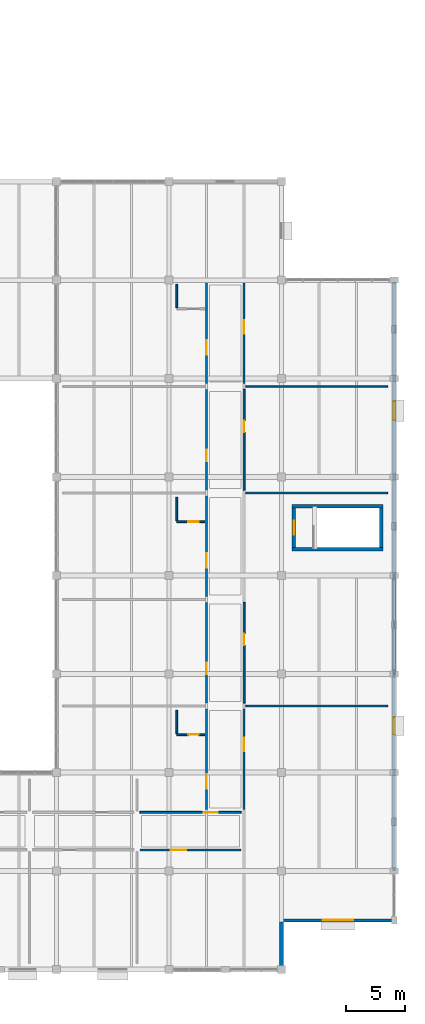
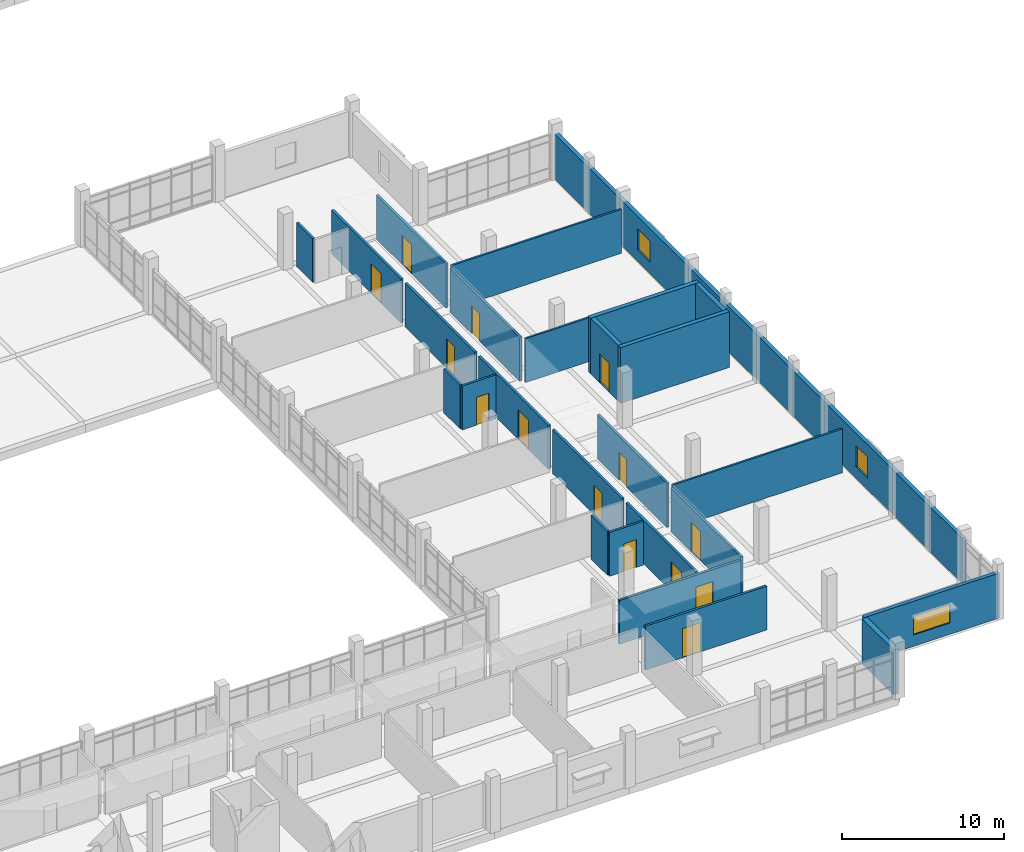
# One storey, part 42 of 57: 27 walls, 14 doors, 3 windows, 17 openings.
"""IFC4 building model written with IfcOpenShell, lengths in metres."""

from ifc_helpers import new_model, si_unit, direction, frame, frame_2d, origin, place, context, subcontext, project, spatial, rectangle, extrude, material, layer, layer_set, type_object, element, fill, save


model = new_model("IFC4")

# Units and contexts
model_context = context("Model", 3, precision=1e-05, world=origin(), true_north=direction((0.0, 1.0)))
body_context = subcontext(model_context, "Body", "Model", "MODEL_VIEW")
ifc_project = project(units=[si_unit("LENGTHUNIT", "METRE"), si_unit("AREAUNIT", "SQUARE_METRE"), si_unit("VOLUMEUNIT", "CUBIC_METRE"), si_unit("PLANEANGLEUNIT", "RADIAN"), si_unit("MASSUNIT", "GRAM", prefix="KILO")], contexts=[model_context])

# Site, building, storey
site_placement = place(None, origin())
site = spatial("IfcSite", under=ifc_project, at=site_placement, CompositionType="ELEMENT")
building_placement = place(site_placement, origin())
building = spatial("IfcBuilding", under=site, at=building_placement, Name="Oolite Switchyard Hospital", CompositionType="ELEMENT")
storey_placement = place(building_placement, frame((0.0, 0.0, 17.800048828125)))
storey = spatial("IfcBuildingStorey", under=building, at=storey_placement, Name="L04", CompositionType="ELEMENT", Elevation=17.800048828125)

# Wall, opening, window
ifc_material_1 = material(Name="Precast oolitic limestone architectural concrete C40/50", Category="masonry")
ifc_layer_1 = layer(ifc_material_1, 0.260009765625)
ifc_layer_set_1 = layer_set([ifc_layer_1], Name="WAL-EXT-260")
wall_type_1 = type_object("IfcWallType", Name="WAL-EXT-260", PredefinedType="SOLIDWALL", material=ifc_layer_set_1)
wall_1_placement = place(storey_placement, frame((211.199951171875, 12.60009765625, 0.0), z_axis=(0.0, 0.0, 1.0), x_axis=(-1.0, 0.0, 0.0)))
wall_1 = element("IfcWall", 1, at=wall_1_placement, inside=storey, type_object=wall_type_1, Name="L04 Exterior Spandrel Wall 255", PredefinedType="SOLIDWALL", context=body_context, shape_type="SweptSolid", body=[
    extrude(rectangle(XDim=9.599853515625, YDim=0.260009765625, at=frame_2d((4.7998046875, 0.0))), origin(), (0.0, 0.0, 1.0), 3.389892578125),
])
opening_1_placement = place(wall_1_placement, frame((3.5, 0.0, 0.85009765625)))
opening_1 = element("IfcOpeningElement", 2, at=opening_1_placement, cuts=wall_1, Name="Opening WN-0150", PredefinedType="OPENING", context=body_context, shape_type="SweptSolid", body=[
    extrude(rectangle(XDim=2.60009765625, YDim=1.39990234375, at=frame_2d((1.300048828125, 0.699951171875))), frame((0.0, 0.14013671875, 0.0), z_axis=(0.0, -1.0, 0.0), x_axis=(1.0, 0.0, 0.0)), (0.0, 0.0, 1.0), 0.280029296875),
])
ifc_material_2 = material(Name="Thermally broken aluminum frame with laminated impact glazing", Category="aluminium")
window_type_1 = type_object("IfcWindowType", Name="WIN-IMP-260X140", PartitioningType="SINGLE_PANEL", PredefinedType="WINDOW", material=ifc_material_2)
window_1_placement = place(opening_1_placement, origin())
window_1 = element("IfcWindow", 3, at=window_1_placement, inside=storey, type_object=window_type_1, Name="L04 Hurricane Impact Window WN-0150", OverallHeight=1.39990234375, OverallWidth=2.60009765625, PartitioningType="SINGLE_PANEL", PredefinedType="WINDOW", context=body_context, shape_type="SweptSolid", body=[
    extrude(rectangle(XDim=2.60009765625, YDim=1.39990234375, at=frame_2d((1.300048828125, 0.699951171875))), frame((0.0, 0.030029296875, 0.0), z_axis=(0.0, -1.0, 0.0), x_axis=(1.0, 0.0, 0.0)), (0.0, 0.0, 1.0), 0.06005859375),
])
fill(opening_1, window_1)

wall_2_placement = place(storey_placement, frame((211.199951171875, 33.60009765625, 0.0), z_axis=(0.0, 0.0, 1.0), x_axis=(0.0, -1.0, 0.0)))
wall_2 = element("IfcWall", 4, at=wall_2_placement, inside=storey, type_object=wall_type_1, Name="L04 Exterior Spandrel Wall 304", PredefinedType="SOLIDWALL", context=body_context, shape_type="SweptSolid", body=[
    extrude(rectangle(XDim=16.800048828125, YDim=0.260009765625, at=frame_2d((8.39990234375, 0.0))), origin(), (0.0, 0.0, 1.0), 3.389892578125),
])
opening_2_placement = place(wall_2_placement, frame((3.68408203125, 0.0, 0.85009765625)))
opening_2 = element("IfcOpeningElement", 5, at=opening_2_placement, cuts=wall_2, Name="Opening WN-0184", PredefinedType="OPENING", context=body_context, shape_type="SweptSolid", body=[
    extrude(rectangle(XDim=1.449951171875, YDim=1.60009765625, at=frame_2d((0.72509765625, 0.800048828125))), frame((0.0, 0.14013671875, 0.0), z_axis=(0.0, -1.0, 0.0), x_axis=(1.0, 0.0, 0.0)), (0.0, 0.0, 1.0), 0.280029296875),
])
window_type_2 = type_object("IfcWindowType", Name="WIN-IMP-145X160", PartitioningType="SINGLE_PANEL", PredefinedType="WINDOW", material=ifc_material_2)
window_2_placement = place(opening_2_placement, origin())
window_2 = element("IfcWindow", 6, at=window_2_placement, inside=storey, type_object=window_type_2, Name="L04 Hurricane Impact Window WN-0184", OverallHeight=1.60009765625, OverallWidth=1.449951171875, PartitioningType="SINGLE_PANEL", PredefinedType="WINDOW", context=body_context, shape_type="SweptSolid", body=[
    extrude(rectangle(XDim=1.449951171875, YDim=1.60009765625, at=frame_2d((0.72509765625, 0.800048828125))), frame((0.0, 0.030029296875, 0.0), z_axis=(0.0, -1.0, 0.0), x_axis=(1.0, 0.0, 0.0)), (0.0, 0.0, 1.0), 0.06005859375),
])
fill(opening_2, window_2)

ifc_layer_2 = layer(ifc_material_1, 0.280029296875)
ifc_layer_set_2 = layer_set([ifc_layer_2], Name="WAL-EXT-280")
wall_type_2 = type_object("IfcWallType", Name="WAL-EXT-280", PredefinedType="SOLIDWALL", material=ifc_layer_set_2)
wall_3_placement = place(storey_placement, frame((211.199951171875, 67.0400390625, 0.0), z_axis=(0.0, 0.0, 1.0), x_axis=(0.0, -1.0, 0.0)))
wall_3 = element("IfcWall", 7, at=wall_3_placement, inside=storey, type_object=wall_type_2, Name="L04 Exterior Spandrel Wall 305", PredefinedType="SOLIDWALL", context=body_context, shape_type="SweptSolid", body=[
    extrude(rectangle(XDim=33.43994140625, YDim=0.280029296875, at=frame_2d((16.719970703125, 0.0))), origin(), (0.0, 0.0, 1.0), 3.389892578125),
])
opening_3_placement = place(wall_3_placement, frame((10.18896484375, 0.0, 0.85009765625)))
opening_3 = element("IfcOpeningElement", 8, at=opening_3_placement, cuts=wall_3, Name="Opening WN-0185", PredefinedType="OPENING", context=body_context, shape_type="SweptSolid", body=[
    extrude(rectangle(XDim=1.60009765625, YDim=1.60009765625, at=frame_2d((0.800048828125, 0.800048828125))), frame((0.0, 0.14990234375, 0.0), z_axis=(0.0, -1.0, 0.0), x_axis=(1.0, 0.0, 0.0)), (0.0, 0.0, 1.0), 0.300048828125),
])
window_type_3 = type_object("IfcWindowType", Name="WIN-IMP-160X160", PartitioningType="SINGLE_PANEL", PredefinedType="WINDOW", material=ifc_material_2)
window_3_placement = place(opening_3_placement, origin())
window_3 = element("IfcWindow", 9, at=window_3_placement, inside=storey, type_object=window_type_3, Name="L04 Hurricane Impact Window WN-0185", OverallHeight=1.60009765625, OverallWidth=1.60009765625, PartitioningType="SINGLE_PANEL", PredefinedType="WINDOW", context=body_context, shape_type="SweptSolid", body=[
    extrude(rectangle(XDim=1.60009765625, YDim=1.60009765625, at=frame_2d((0.800048828125, 0.800048828125))), frame((0.0, 0.030029296875, 0.0), z_axis=(0.0, -1.0, 0.0), x_axis=(1.0, 0.0, 0.0)), (0.0, 0.0, 1.0), 0.06005859375),
])
fill(opening_3, window_3)

# Walls
ifc_layer_3 = layer(ifc_material_1, 0.360107421875)
ifc_layer_set_3 = layer_set([ifc_layer_3], Name="WAL-EXT-360")
wall_type_3 = type_object("IfcWallType", Name="WAL-EXT-360", PredefinedType="SOLIDWALL", material=ifc_layer_set_3)
wall_4_placement = place(storey_placement, frame((201.60009765625, 12.43994140625, 0.0), z_axis=(0.0, 0.0, 1.0), x_axis=(0.0, -1.0, 0.0)))
element("IfcWall", 10, at=wall_4_placement, inside=storey, type_object=wall_type_3, Name="L04 Exterior Spandrel Wall 302", PredefinedType="SOLIDWALL", context=body_context, shape_type="SweptSolid", body=[
    extrude(rectangle(XDim=3.8798828125, YDim=0.360107421875, at=frame_2d((1.93994140625, 0.0))), origin(), (0.0, 0.0, 1.0), 3.389892578125),
])
ifc_material_3 = material(Name="Moisture-resistant gypsum board on steel studs", Category="steel")
ifc_layer_4 = layer(ifc_material_3, 0.135009765625)
ifc_layer_set_4 = layer_set([ifc_layer_4], Name="WAL-PART-135")
wall_type_4 = type_object("IfcWallType", Name="WAL-PART-135", PredefinedType="PARTITIONING", material=ifc_layer_set_4)
for number, where, z_axis, x_axis, name in (
    (11, (198.550048828125, 30.8798828125, 0.0), (0.0, 0.0, 1.0), (1.0, 0.0, 0.0), "L04 Interior Partition 814"),
    (12, (198.550048828125, 49.0400390625, 0.0), (0.0, 0.0, 1.0), (1.0, 0.0, 0.0), "L04 Interior Partition 822"),
    (13, (198.550048828125, 58.1201171875, 0.0), (0.0, 0.0, 1.0), (1.0, 0.0, 0.0), "L04 Interior Partition 828"),
):
    element("IfcWall", number, at=place(storey_placement, frame(where, z_axis=z_axis, x_axis=x_axis)), inside=storey, type_object=wall_type_4, Name=name, PredefinedType="PARTITIONING", context=body_context, shape_type="SweptSolid", body=[
        extrude(rectangle(XDim=12.099853515625, YDim=0.135009765625, at=frame_2d((6.0498046875, 0.0))), origin(), (0.0, 0.0, 1.0), 3.300048828125),
    ])

# Wall, opening, door
ifc_layer_5 = layer(ifc_material_3, 0.14990234375)
ifc_layer_set_5 = layer_set([ifc_layer_5], Name="WAL-PART-150")
wall_type_5 = type_object("IfcWallType", Name="WAL-PART-150", PredefinedType="PARTITIONING", material=ifc_layer_set_5)
wall_5_placement = place(storey_placement, frame((192.64990234375, 28.429931640625, 0.0), z_axis=(0.0, 0.0, 1.0), x_axis=(1.0, 0.0, 0.0)))
wall_5 = element("IfcWall", 14, at=wall_5_placement, inside=storey, type_object=wall_type_5, Name="L04 Interior Partition 808", PredefinedType="PARTITIONING", context=body_context, shape_type="SweptSolid", body=[
    extrude(rectangle(XDim=2.400146484375, YDim=0.14990234375, at=frame_2d((1.2001953125, 0.0))), origin(), (0.0, 0.0, 1.0), 3.300048828125),
])
opening_4_placement = place(wall_5_placement, frame((1.0, 0.0, 0.0)))
opening_4 = element("IfcOpeningElement", 15, at=opening_4_placement, cuts=wall_5, Name="Opening D-0449", PredefinedType="OPENING", context=body_context, shape_type="SweptSolid", body=[
    extrude(rectangle(XDim=0.89990234375, YDim=2.10009765625, at=frame_2d((0.449951171875, 1.050048828125))), frame((0.0, 0.0849609375, 0.0), z_axis=(0.0, -1.0, 0.0), x_axis=(1.0, 0.0, 0.0)), (0.0, 0.0, 1.0), 0.169921875),
])
ifc_material_4 = material(Name="Solid-core antimicrobial hardwood leaf in steel frame", Category="steel")
door_type_1 = type_object("IfcDoorType", Name="DR-BATH-090X210", OperationType="NOTDEFINED", PredefinedType="DOOR", material=ifc_material_4)
door_1_placement = place(opening_4_placement, origin())
door_1 = element("IfcDoor", 16, at=door_1_placement, inside=storey, type_object=door_type_1, Name="L04 Interior Door D-0449", OperationType="SINGLE_SWING_RIGHT", OverallHeight=2.10009765625, OverallWidth=0.89990234375, PredefinedType="DOOR", context=body_context, shape_type="SweptSolid", body=[
    extrude(rectangle(XDim=0.89990234375, YDim=2.10009765625, at=frame_2d((0.449951171875, 1.050048828125))), frame((0.0, 0.02490234375, 0.0), z_axis=(0.0, -1.0, 0.0), x_axis=(1.0, 0.0, 0.0)), (0.0, 0.0, 1.0), 0.050048828125),
])
fill(opening_4, door_1)

# Wall
wall_6_placement = place(storey_placement, frame((192.64990234375, 28.530029296875, 0.0), z_axis=(0.0, 0.0, 1.0), x_axis=(0.0, 1.0, 0.0)))
element("IfcWall", 17, at=wall_6_placement, inside=storey, type_object=wall_type_5, Name="L04 Interior Partition 809", PredefinedType="PARTITIONING", context=body_context, shape_type="SweptSolid", body=[
    extrude(rectangle(XDim=2.0, YDim=0.14990234375, at=frame_2d((1.0, 0.0))), origin(), (0.0, 0.0, 1.0), 3.300048828125),
])

# Wall, opening, door
wall_7_placement = place(storey_placement, frame((192.64990234375, 46.590087890625, 0.0), z_axis=(0.0, 0.0, 1.0), x_axis=(1.0, 0.0, 0.0)))
wall_7 = element("IfcWall", 18, at=wall_7_placement, inside=storey, type_object=wall_type_5, Name="L04 Interior Partition 816", PredefinedType="PARTITIONING", context=body_context, shape_type="SweptSolid", body=[
    extrude(rectangle(XDim=2.400146484375, YDim=0.14990234375, at=frame_2d((1.2001953125, 0.0))), origin(), (0.0, 0.0, 1.0), 3.300048828125),
])
opening_5_placement = place(wall_7_placement, frame((1.0, 0.0, 0.0)))
opening_5 = element("IfcOpeningElement", 19, at=opening_5_placement, cuts=wall_7, Name="Opening D-0454", PredefinedType="OPENING", context=body_context, shape_type="SweptSolid", body=[
    extrude(rectangle(XDim=0.89990234375, YDim=2.10009765625, at=frame_2d((0.449951171875, 1.050048828125))), frame((0.0, 0.0849609375, 0.0), z_axis=(0.0, -1.0, 0.0), x_axis=(1.0, 0.0, 0.0)), (0.0, 0.0, 1.0), 0.169921875),
])
door_2_placement = place(opening_5_placement, origin())
door_2 = element("IfcDoor", 20, at=door_2_placement, inside=storey, type_object=door_type_1, Name="L04 Interior Door D-0454", OperationType="SINGLE_SWING_RIGHT", OverallHeight=2.10009765625, OverallWidth=0.89990234375, PredefinedType="DOOR", context=body_context, shape_type="SweptSolid", body=[
    extrude(rectangle(XDim=0.89990234375, YDim=2.10009765625, at=frame_2d((0.449951171875, 1.050048828125))), frame((0.0, 0.02490234375, 0.0), z_axis=(0.0, -1.0, 0.0), x_axis=(1.0, 0.0, 0.0)), (0.0, 0.0, 1.0), 0.050048828125),
])
fill(opening_5, door_2)

# Walls
for number, where, z_axis, x_axis, name in (
    (21, (192.64990234375, 46.68994140625, 0.0), (0.0, 0.0, 1.0), (0.0, 1.0, 0.0), "L04 Interior Partition 817"),
    (22, (192.64990234375, 64.85009765625, 0.0), (0.0, 0.0, 1.0), (0.0, 1.0, 0.0), "L04 Interior Partition 825"),
):
    element("IfcWall", number, at=place(storey_placement, frame(where, z_axis=z_axis, x_axis=x_axis)), inside=storey, type_object=wall_type_5, Name=name, PredefinedType="PARTITIONING", context=body_context, shape_type="SweptSolid", body=[
        extrude(rectangle(XDim=2.0, YDim=0.14990234375, at=frame_2d((1.0, 0.0))), origin(), (0.0, 0.0, 1.0), 3.300048828125),
    ])

# Wall, opening, door
ifc_layer_6 = layer(ifc_material_3, 0.1650390625)
ifc_layer_set_6 = layer_set([ifc_layer_6], Name="WAL-PART-165")
wall_type_6 = type_object("IfcWallType", Name="WAL-PART-165", PredefinedType="PARTITIONING", material=ifc_layer_set_6)
wall_8_placement = place(storey_placement, frame((189.508056640625, 18.60009765625, 0.0), z_axis=(0.0, 0.0, 1.0), x_axis=(1.0, 0.0, 0.0)))
wall_8 = element("IfcWall", 23, at=wall_8_placement, inside=storey, type_object=wall_type_6, Name="L04 Interior Partition 803", PredefinedType="PARTITIONING", context=body_context, shape_type="SweptSolid", body=[
    extrude(rectangle(XDim=8.642822265625, YDim=0.1650390625, at=frame_2d((4.3212890625, 0.0))), origin(), (0.0, 0.0, 1.0), 3.300048828125),
])
opening_6_placement = place(wall_8_placement, frame((2.64990234375, 0.0, 0.0)))
opening_6 = element("IfcOpeningElement", 24, at=opening_6_placement, cuts=wall_8, Name="Opening D-0446", PredefinedType="OPENING", context=body_context, shape_type="SweptSolid", body=[
    extrude(rectangle(XDim=1.300048828125, YDim=2.199951171875, at=frame_2d((0.64990234375, 1.10009765625))), frame((0.0, 0.092529296875, 0.0), z_axis=(0.0, -1.0, 0.0), x_axis=(1.0, 0.0, 0.0)), (0.0, 0.0, 1.0), 0.18505859375),
])
door_type_2 = type_object("IfcDoorType", Name="DR-WARD-130X220", OperationType="NOTDEFINED", PredefinedType="DOOR", material=ifc_material_4)
door_3_placement = place(opening_6_placement, origin())
door_3 = element("IfcDoor", 25, at=door_3_placement, inside=storey, type_object=door_type_2, Name="L04 Interior Door D-0446", OperationType="SINGLE_SWING_LEFT", OverallHeight=2.199951171875, OverallWidth=1.300048828125, PredefinedType="DOOR", context=body_context, shape_type="SweptSolid", body=[
    extrude(rectangle(XDim=1.300048828125, YDim=2.199951171875, at=frame_2d((0.64990234375, 1.10009765625))), frame((0.0, 0.02490234375, 0.0), z_axis=(0.0, -1.0, 0.0), x_axis=(1.0, 0.0, 0.0)), (0.0, 0.0, 1.0), 0.050048828125),
])
fill(opening_6, door_3)

wall_9_placement = place(storey_placement, frame((189.508056640625, 21.800048828125, 0.0), z_axis=(0.0, 0.0, 1.0), x_axis=(1.0, 0.0, 0.0)))
wall_9 = element("IfcWall", 26, at=wall_9_placement, inside=storey, type_object=wall_type_6, Name="L04 Interior Partition 805", PredefinedType="PARTITIONING", context=body_context, shape_type="SweptSolid", body=[
    extrude(rectangle(XDim=8.642822265625, YDim=0.1650390625, at=frame_2d((4.3212890625, 0.0))), origin(), (0.0, 0.0, 1.0), 3.300048828125),
])
opening_7_placement = place(wall_9_placement, frame((5.449951171875, 0.0, 0.0)))
opening_7 = element("IfcOpeningElement", 27, at=opening_7_placement, cuts=wall_9, Name="Opening D-0447", PredefinedType="OPENING", context=body_context, shape_type="SweptSolid", body=[
    extrude(rectangle(XDim=1.199951171875, YDim=2.39990234375, at=frame_2d((0.60009765625, 1.199951171875))), frame((0.0, 0.092529296875, 0.0), z_axis=(0.0, -1.0, 0.0), x_axis=(1.0, 0.0, 0.0)), (0.0, 0.0, 1.0), 0.18505859375),
])
ifc_material_5 = material(Name="Hollow metal fire-rated steel door assembly", Category="steel")
door_type_3 = type_object("IfcDoorType", Name="DR-PHARM-120X240", OperationType="NOTDEFINED", PredefinedType="DOOR", material=ifc_material_5)
door_4_placement = place(opening_7_placement, origin())
door_4 = element("IfcDoor", 28, at=door_4_placement, inside=storey, type_object=door_type_3, Name="L04 Interior Door D-0447", OperationType="SINGLE_SWING_RIGHT", OverallHeight=2.39990234375, OverallWidth=1.199951171875, PredefinedType="DOOR", context=body_context, shape_type="SweptSolid", body=[
    extrude(rectangle(XDim=1.199951171875, YDim=2.39990234375, at=frame_2d((0.60009765625, 1.199951171875))), frame((0.0, 0.02490234375, 0.0), z_axis=(0.0, -1.0, 0.0), x_axis=(1.0, 0.0, 0.0)), (0.0, 0.0, 1.0), 0.050048828125),
])
fill(opening_7, door_4)

wall_10_placement = place(storey_placement, frame((195.199951171875, 22.050048828125, 0.0), z_axis=(0.0, 0.0, 1.0), x_axis=(0.0, 1.0, 0.0)))
wall_10 = element("IfcWall", 29, at=wall_10_placement, inside=storey, type_object=wall_type_6, Name="L04 Interior Partition 807", PredefinedType="PARTITIONING", context=body_context, shape_type="SweptSolid", body=[
    extrude(rectangle(XDim=8.579833984375, YDim=0.1650390625, at=frame_2d((4.2900390625, 0.0))), origin(), (0.0, 0.0, 1.0), 3.300048828125),
])
opening_8_placement = place(wall_10_placement, frame((1.75, 0.0, 0.0)))
opening_8 = element("IfcOpeningElement", 30, at=opening_8_placement, cuts=wall_10, Name="Opening D-0448", PredefinedType="OPENING", context=body_context, shape_type="SweptSolid", body=[
    extrude(rectangle(XDim=1.25, YDim=2.199951171875, at=frame_2d((0.625, 1.10009765625))), frame((0.0, 0.092529296875, 0.0), z_axis=(0.0, -1.0, 0.0), x_axis=(1.0, 0.0, 0.0)), (0.0, 0.0, 1.0), 0.18505859375),
])
door_type_4 = type_object("IfcDoorType", Name="DR-WARD-125X220", OperationType="NOTDEFINED", PredefinedType="DOOR", material=ifc_material_4)
door_5_placement = place(opening_8_placement, origin())
door_5 = element("IfcDoor", 31, at=door_5_placement, inside=storey, type_object=door_type_4, Name="L04 Interior Door D-0448", OperationType="SINGLE_SWING_LEFT", OverallHeight=2.199951171875, OverallWidth=1.25, PredefinedType="DOOR", context=body_context, shape_type="SweptSolid", body=[
    extrude(rectangle(XDim=1.25, YDim=2.199951171875, at=frame_2d((0.625, 1.10009765625))), frame((0.0, 0.02490234375, 0.0), z_axis=(0.0, -1.0, 0.0), x_axis=(1.0, 0.0, 0.0)), (0.0, 0.0, 1.0), 0.050048828125),
])
fill(opening_8, door_5)

wall_11_placement = place(storey_placement, frame((198.39990234375, 22.050048828125, 0.0), z_axis=(0.0, 0.0, 1.0), x_axis=(0.0, 1.0, 0.0)))
wall_11 = element("IfcWall", 32, at=wall_11_placement, inside=storey, type_object=wall_type_6, Name="L04 Interior Partition 810", PredefinedType="PARTITIONING", context=body_context, shape_type="SweptSolid", body=[
    extrude(rectangle(XDim=8.579833984375, YDim=0.1650390625, at=frame_2d((4.2900390625, 0.0))), origin(), (0.0, 0.0, 1.0), 3.300048828125),
])
opening_9_placement = place(wall_11_placement, frame((4.949951171875, 0.0, 0.0)))
opening_9 = element("IfcOpeningElement", 33, at=opening_9_placement, cuts=wall_11, Name="Opening D-0450", PredefinedType="OPENING", context=body_context, shape_type="SweptSolid", body=[
    extrude(rectangle(XDim=1.14990234375, YDim=2.199951171875, at=frame_2d((0.574951171875, 1.10009765625))), frame((0.0, 0.092529296875, 0.0), z_axis=(0.0, -1.0, 0.0), x_axis=(1.0, 0.0, 0.0)), (0.0, 0.0, 1.0), 0.18505859375),
])
door_type_5 = type_object("IfcDoorType", Name="DR-CLIN-115X220", OperationType="NOTDEFINED", PredefinedType="DOOR", material=ifc_material_4)
door_6_placement = place(opening_9_placement, origin())
door_6 = element("IfcDoor", 34, at=door_6_placement, inside=storey, type_object=door_type_5, Name="L04 Interior Door D-0450", OperationType="SINGLE_SWING_RIGHT", OverallHeight=2.199951171875, OverallWidth=1.14990234375, PredefinedType="DOOR", context=body_context, shape_type="SweptSolid", body=[
    extrude(rectangle(XDim=1.14990234375, YDim=2.199951171875, at=frame_2d((0.574951171875, 1.10009765625))), frame((0.0, 0.02490234375, 0.0), z_axis=(0.0, -1.0, 0.0), x_axis=(1.0, 0.0, 0.0)), (0.0, 0.0, 1.0), 0.050048828125),
])
fill(opening_9, door_6)

wall_12_placement = place(storey_placement, frame((195.199951171875, 31.1298828125, 0.0), z_axis=(0.0, 0.0, 1.0), x_axis=(0.0, 1.0, 0.0)))
wall_12 = element("IfcWall", 35, at=wall_12_placement, inside=storey, type_object=wall_type_6, Name="L04 Interior Partition 811", PredefinedType="PARTITIONING", context=body_context, shape_type="SweptSolid", body=[
    extrude(rectangle(XDim=8.580078125, YDim=0.1650390625, at=frame_2d((4.2900390625, 0.0))), origin(), (0.0, 0.0, 1.0), 3.300048828125),
])
opening_10_placement = place(wall_12_placement, frame((2.449951171875, 0.0, 0.0)))
opening_10 = element("IfcOpeningElement", 36, at=opening_10_placement, cuts=wall_12, Name="Opening D-0451", PredefinedType="OPENING", context=body_context, shape_type="SweptSolid", body=[
    extrude(rectangle(XDim=1.0, YDim=2.199951171875, at=frame_2d((0.5, 1.10009765625))), frame((0.0, 0.092529296875, 0.0), z_axis=(0.0, -1.0, 0.0), x_axis=(1.0, 0.0, 0.0)), (0.0, 0.0, 1.0), 0.18505859375),
])
door_type_6 = type_object("IfcDoorType", Name="DR-OFF-100X220", OperationType="NOTDEFINED", PredefinedType="DOOR", material=ifc_material_4)
door_7_placement = place(opening_10_placement, origin())
door_7 = element("IfcDoor", 37, at=door_7_placement, inside=storey, type_object=door_type_6, Name="L04 Interior Door D-0451", OperationType="SINGLE_SWING_RIGHT", OverallHeight=2.199951171875, OverallWidth=1.0, PredefinedType="DOOR", context=body_context, shape_type="SweptSolid", body=[
    extrude(rectangle(XDim=1.0, YDim=2.199951171875, at=frame_2d((0.5, 1.10009765625))), frame((0.0, 0.02490234375, 0.0), z_axis=(0.0, -1.0, 0.0), x_axis=(1.0, 0.0, 0.0)), (0.0, 0.0, 1.0), 0.050048828125),
])
fill(opening_10, door_7)

wall_13_placement = place(storey_placement, frame((198.39990234375, 31.1298828125, 0.0), z_axis=(0.0, 0.0, 1.0), x_axis=(0.0, 1.0, 0.0)))
wall_13 = element("IfcWall", 38, at=wall_13_placement, inside=storey, type_object=wall_type_6, Name="L04 Interior Partition 813", PredefinedType="PARTITIONING", context=body_context, shape_type="SweptSolid", body=[
    extrude(rectangle(XDim=8.580078125, YDim=0.1650390625, at=frame_2d((4.2900390625, 0.0))), origin(), (0.0, 0.0, 1.0), 3.300048828125),
])
opening_11_placement = place(wall_13_placement, frame((4.949951171875, 0.0, 0.0)))
opening_11 = element("IfcOpeningElement", 39, at=opening_11_placement, cuts=wall_13, Name="Opening D-0452", PredefinedType="OPENING", context=body_context, shape_type="SweptSolid", body=[
    extrude(rectangle(XDim=0.949951171875, YDim=2.10009765625, at=frame_2d((0.47509765625, 1.050048828125))), frame((0.0, 0.092529296875, 0.0), z_axis=(0.0, -1.0, 0.0), x_axis=(1.0, 0.0, 0.0)), (0.0, 0.0, 1.0), 0.18505859375),
])
door_type_7 = type_object("IfcDoorType", Name="DR-BATH-095X210", OperationType="NOTDEFINED", PredefinedType="DOOR", material=ifc_material_4)
door_8_placement = place(opening_11_placement, origin())
door_8 = element("IfcDoor", 40, at=door_8_placement, inside=storey, type_object=door_type_7, Name="L04 Interior Door D-0452", OperationType="SINGLE_SWING_LEFT", OverallHeight=2.10009765625, OverallWidth=0.949951171875, PredefinedType="DOOR", context=body_context, shape_type="SweptSolid", body=[
    extrude(rectangle(XDim=0.949951171875, YDim=2.10009765625, at=frame_2d((0.47509765625, 1.050048828125))), frame((0.0, 0.02490234375, 0.0), z_axis=(0.0, -1.0, 0.0), x_axis=(1.0, 0.0, 0.0)), (0.0, 0.0, 1.0), 0.050048828125),
])
fill(opening_11, door_8)

wall_14_placement = place(storey_placement, frame((195.199951171875, 40.2099609375, 0.0), z_axis=(0.0, 0.0, 1.0), x_axis=(0.0, 1.0, 0.0)))
wall_14 = element("IfcWall", 41, at=wall_14_placement, inside=storey, type_object=wall_type_6, Name="L04 Interior Partition 815", PredefinedType="PARTITIONING", context=body_context, shape_type="SweptSolid", body=[
    extrude(rectangle(XDim=8.580078125, YDim=0.1650390625, at=frame_2d((4.2900390625, 0.0))), origin(), (0.0, 0.0, 1.0), 3.300048828125),
])
opening_12_placement = place(wall_14_placement, frame((2.449951171875, 0.0, 0.0)))
opening_12 = element("IfcOpeningElement", 42, at=opening_12_placement, cuts=wall_14, Name="Opening D-0453", PredefinedType="OPENING", context=body_context, shape_type="SweptSolid", body=[
    extrude(rectangle(XDim=1.25, YDim=2.199951171875, at=frame_2d((0.625, 1.10009765625))), frame((0.0, 0.092529296875, 0.0), z_axis=(0.0, -1.0, 0.0), x_axis=(1.0, 0.0, 0.0)), (0.0, 0.0, 1.0), 0.18505859375),
])
door_9_placement = place(opening_12_placement, origin())
door_9 = element("IfcDoor", 43, at=door_9_placement, inside=storey, type_object=door_type_4, Name="L04 Interior Door D-0453", OperationType="SINGLE_SWING_LEFT", OverallHeight=2.199951171875, OverallWidth=1.25, PredefinedType="DOOR", context=body_context, shape_type="SweptSolid", body=[
    extrude(rectangle(XDim=1.25, YDim=2.199951171875, at=frame_2d((0.625, 1.10009765625))), frame((0.0, 0.02490234375, 0.0), z_axis=(0.0, -1.0, 0.0), x_axis=(1.0, 0.0, 0.0)), (0.0, 0.0, 1.0), 0.050048828125),
])
fill(opening_12, door_9)

wall_15_placement = place(storey_placement, frame((195.199951171875, 49.2900390625, 0.0), z_axis=(0.0, 0.0, 1.0), x_axis=(0.0, 1.0, 0.0)))
wall_15 = element("IfcWall", 44, at=wall_15_placement, inside=storey, type_object=wall_type_6, Name="L04 Interior Partition 819", PredefinedType="PARTITIONING", context=body_context, shape_type="SweptSolid", body=[
    extrude(rectangle(XDim=8.580078125, YDim=0.1650390625, at=frame_2d((4.2900390625, 0.0))), origin(), (0.0, 0.0, 1.0), 3.300048828125),
])
opening_13_placement = place(wall_15_placement, frame((2.449951171875, 0.0, 0.0)))
opening_13 = element("IfcOpeningElement", 45, at=opening_13_placement, cuts=wall_15, Name="Opening D-0455", PredefinedType="OPENING", context=body_context, shape_type="SweptSolid", body=[
    extrude(rectangle(XDim=1.0, YDim=2.199951171875, at=frame_2d((0.5, 1.10009765625))), frame((0.0, 0.092529296875, 0.0), z_axis=(0.0, -1.0, 0.0), x_axis=(1.0, 0.0, 0.0)), (0.0, 0.0, 1.0), 0.18505859375),
])
door_10_placement = place(opening_13_placement, origin())
door_10 = element("IfcDoor", 46, at=door_10_placement, inside=storey, type_object=door_type_6, Name="L04 Interior Door D-0455", OperationType="SINGLE_SWING_RIGHT", OverallHeight=2.199951171875, OverallWidth=1.0, PredefinedType="DOOR", context=body_context, shape_type="SweptSolid", body=[
    extrude(rectangle(XDim=1.0, YDim=2.199951171875, at=frame_2d((0.5, 1.10009765625))), frame((0.0, 0.02490234375, 0.0), z_axis=(0.0, -1.0, 0.0), x_axis=(1.0, 0.0, 0.0)), (0.0, 0.0, 1.0), 0.050048828125),
])
fill(opening_13, door_10)

wall_16_placement = place(storey_placement, frame((198.39990234375, 49.2900390625, 0.0), z_axis=(0.0, 0.0, 1.0), x_axis=(0.0, 1.0, 0.0)))
wall_16 = element("IfcWall", 47, at=wall_16_placement, inside=storey, type_object=wall_type_6, Name="L04 Interior Partition 821", PredefinedType="PARTITIONING", context=body_context, shape_type="SweptSolid", body=[
    extrude(rectangle(XDim=8.580078125, YDim=0.1650390625, at=frame_2d((4.2900390625, 0.0))), origin(), (0.0, 0.0, 1.0), 3.300048828125),
])
opening_14_placement = place(wall_16_placement, frame((4.949951171875, 0.0, 0.0)))
opening_14 = element("IfcOpeningElement", 48, at=opening_14_placement, cuts=wall_16, Name="Opening D-0456", PredefinedType="OPENING", context=body_context, shape_type="SweptSolid", body=[
    extrude(rectangle(XDim=0.949951171875, YDim=2.10009765625, at=frame_2d((0.47509765625, 1.050048828125))), frame((0.0, 0.092529296875, 0.0), z_axis=(0.0, -1.0, 0.0), x_axis=(1.0, 0.0, 0.0)), (0.0, 0.0, 1.0), 0.18505859375),
])
door_11_placement = place(opening_14_placement, origin())
door_11 = element("IfcDoor", 49, at=door_11_placement, inside=storey, type_object=door_type_7, Name="L04 Interior Door D-0456", OperationType="SINGLE_SWING_LEFT", OverallHeight=2.10009765625, OverallWidth=0.949951171875, PredefinedType="DOOR", context=body_context, shape_type="SweptSolid", body=[
    extrude(rectangle(XDim=0.949951171875, YDim=2.10009765625, at=frame_2d((0.47509765625, 1.050048828125))), frame((0.0, 0.02490234375, 0.0), z_axis=(0.0, -1.0, 0.0), x_axis=(1.0, 0.0, 0.0)), (0.0, 0.0, 1.0), 0.050048828125),
])
fill(opening_14, door_11)

wall_17_placement = place(storey_placement, frame((195.199951171875, 58.3701171875, 0.0), z_axis=(0.0, 0.0, 1.0), x_axis=(0.0, 1.0, 0.0)))
wall_17 = element("IfcWall", 50, at=wall_17_placement, inside=storey, type_object=wall_type_6, Name="L04 Interior Partition 823", PredefinedType="PARTITIONING", context=body_context, shape_type="SweptSolid", body=[
    extrude(rectangle(XDim=8.579833984375, YDim=0.1650390625, at=frame_2d((4.2900390625, 0.0))), origin(), (0.0, 0.0, 1.0), 3.300048828125),
])
opening_15_placement = place(wall_17_placement, frame((2.449951171875, 0.0, 0.0)))
opening_15 = element("IfcOpeningElement", 51, at=opening_15_placement, cuts=wall_17, Name="Opening D-0457", PredefinedType="OPENING", context=body_context, shape_type="SweptSolid", body=[
    extrude(rectangle(XDim=1.25, YDim=2.199951171875, at=frame_2d((0.625, 1.10009765625))), frame((0.0, 0.092529296875, 0.0), z_axis=(0.0, -1.0, 0.0), x_axis=(1.0, 0.0, 0.0)), (0.0, 0.0, 1.0), 0.18505859375),
])
door_12_placement = place(opening_15_placement, origin())
door_12 = element("IfcDoor", 52, at=door_12_placement, inside=storey, type_object=door_type_4, Name="L04 Interior Door D-0457", OperationType="SINGLE_SWING_LEFT", OverallHeight=2.199951171875, OverallWidth=1.25, PredefinedType="DOOR", context=body_context, shape_type="SweptSolid", body=[
    extrude(rectangle(XDim=1.25, YDim=2.199951171875, at=frame_2d((0.625, 1.10009765625))), frame((0.0, 0.02490234375, 0.0), z_axis=(0.0, -1.0, 0.0), x_axis=(1.0, 0.0, 0.0)), (0.0, 0.0, 1.0), 0.050048828125),
])
fill(opening_15, door_12)

wall_18_placement = place(storey_placement, frame((198.39990234375, 58.3701171875, 0.0), z_axis=(0.0, 0.0, 1.0), x_axis=(0.0, 1.0, 0.0)))
wall_18 = element("IfcWall", 53, at=wall_18_placement, inside=storey, type_object=wall_type_6, Name="L04 Interior Partition 827", PredefinedType="PARTITIONING", context=body_context, shape_type="SweptSolid", body=[
    extrude(rectangle(XDim=8.579833984375, YDim=0.1650390625, at=frame_2d((4.2900390625, 0.0))), origin(), (0.0, 0.0, 1.0), 3.300048828125),
])
opening_16_placement = place(wall_18_placement, frame((4.25, 0.0, 0.0)))
opening_16 = element("IfcOpeningElement", 54, at=opening_16_placement, cuts=wall_18, Name="Opening D-0459", PredefinedType="OPENING", context=body_context, shape_type="SweptSolid", body=[
    extrude(rectangle(XDim=1.14990234375, YDim=2.199951171875, at=frame_2d((0.574951171875, 1.10009765625))), frame((0.0, 0.092529296875, 0.0), z_axis=(0.0, -1.0, 0.0), x_axis=(1.0, 0.0, 0.0)), (0.0, 0.0, 1.0), 0.18505859375),
])
door_13_placement = place(opening_16_placement, origin())
door_13 = element("IfcDoor", 55, at=door_13_placement, inside=storey, type_object=door_type_5, Name="L04 Interior Door D-0459", OperationType="SINGLE_SWING_RIGHT", OverallHeight=2.199951171875, OverallWidth=1.14990234375, PredefinedType="DOOR", context=body_context, shape_type="SweptSolid", body=[
    extrude(rectangle(XDim=1.14990234375, YDim=2.199951171875, at=frame_2d((0.574951171875, 1.10009765625))), frame((0.0, 0.02490234375, 0.0), z_axis=(0.0, -1.0, 0.0), x_axis=(1.0, 0.0, 0.0)), (0.0, 0.0, 1.0), 0.050048828125),
])
fill(opening_16, door_13)

# Walls
ifc_material_6 = material(Name="Concrete C50/60", Category="concrete")
ifc_layer_7 = layer(ifc_material_6, 0.300048828125)
ifc_layer_set_7 = layer_set([ifc_layer_7], Name="WAL-SHR-300")
wall_type_7 = type_object("IfcWallType", Name="WAL-SHR-300", PredefinedType="SHEAR", material=ifc_layer_set_7)
wall_19_placement = place(storey_placement, frame((202.5, 44.25, 0.0), z_axis=(0.0, 0.0, 1.0), x_axis=(1.0, 0.0, 0.0)))
element("IfcWall", 56, at=wall_19_placement, inside=storey, type_object=wall_type_7, Name="L04 Core Shear Wall ST-06", PredefinedType="SHEAR", context=body_context, shape_type="SweptSolid", body=[
    extrude(rectangle(XDim=7.75, YDim=0.300048828125, at=frame_2d((3.875, 0.0))), origin(), (0.0, 0.0, 1.0), 4.199951171875),
])
wall_20_placement = place(storey_placement, frame((210.10009765625, 44.39990234375, 0.0), z_axis=(0.0, 0.0, 1.0), x_axis=(0.0, 1.0, 0.0)))
element("IfcWall", 57, at=wall_20_placement, inside=storey, type_object=wall_type_7, Name="L04 Core Shear Wall ST-06", PredefinedType="SHEAR", context=body_context, shape_type="SweptSolid", body=[
    extrude(rectangle(XDim=3.360107421875, YDim=0.300048828125, at=frame_2d((1.68017578125, 0.0))), origin(), (0.0, 0.0, 1.0), 4.199951171875),
])
wall_21_placement = place(storey_placement, frame((210.25, 47.909912109375, 0.0), z_axis=(0.0, 0.0, 1.0), x_axis=(-1.0, 0.0, 0.0)))
element("IfcWall", 58, at=wall_21_placement, inside=storey, type_object=wall_type_7, Name="L04 Core Shear Wall ST-06", PredefinedType="SHEAR", context=body_context, shape_type="SweptSolid", body=[
    extrude(rectangle(XDim=7.75, YDim=0.300048828125, at=frame_2d((3.875, 0.0))), origin(), (0.0, 0.0, 1.0), 4.199951171875),
])

# Wall, opening, door
wall_22_placement = place(storey_placement, frame((202.64990234375, 47.760009765625, 0.0), z_axis=(0.0, 0.0, 1.0), x_axis=(0.0, -1.0, 0.0)))
wall_22 = element("IfcWall", 59, at=wall_22_placement, inside=storey, type_object=wall_type_7, Name="L04 Core Shear Wall ST-06", PredefinedType="SHEAR", context=body_context, shape_type="SweptSolid", body=[
    extrude(rectangle(XDim=3.360107421875, YDim=0.300048828125, at=frame_2d((1.68017578125, 0.0))), origin(), (0.0, 0.0, 1.0), 4.199951171875),
])
opening_17_placement = place(wall_22_placement, frame((1.080078125, 0.0, 0.0)))
opening_17 = element("IfcOpeningElement", 60, at=opening_17_placement, cuts=wall_22, Name="Opening SD-042", PredefinedType="OPENING", context=body_context, shape_type="SweptSolid", body=[
    extrude(rectangle(XDim=1.199951171875, YDim=2.199951171875, at=frame_2d((0.60009765625, 1.10009765625))), frame((0.0, 0.16015625, 0.0), z_axis=(0.0, -1.0, 0.0), x_axis=(1.0, 0.0, 0.0)), (0.0, 0.0, 1.0), 0.320068359375),
])
door_type_8 = type_object("IfcDoorType", Name="DR-STR-120X220", OperationType="NOTDEFINED", PredefinedType="DOOR", material=ifc_material_5)
door_14_placement = place(opening_17_placement, origin())
door_14 = element("IfcDoor", 61, at=door_14_placement, inside=storey, type_object=door_type_8, Name="L04 ST-06 Exit Stair Door SD-042", OperationType="SINGLE_SWING_RIGHT", OverallHeight=2.199951171875, OverallWidth=1.199951171875, PredefinedType="DOOR", context=body_context, shape_type="SweptSolid", body=[
    extrude(rectangle(XDim=1.199951171875, YDim=2.199951171875, at=frame_2d((0.60009765625, 1.10009765625))), frame((0.0, 0.02490234375, 0.0), z_axis=(0.0, -1.0, 0.0), x_axis=(1.0, 0.0, 0.0)), (0.0, 0.0, 1.0), 0.050048828125),
])
fill(opening_17, door_14)

save(model, "model.ifc")
